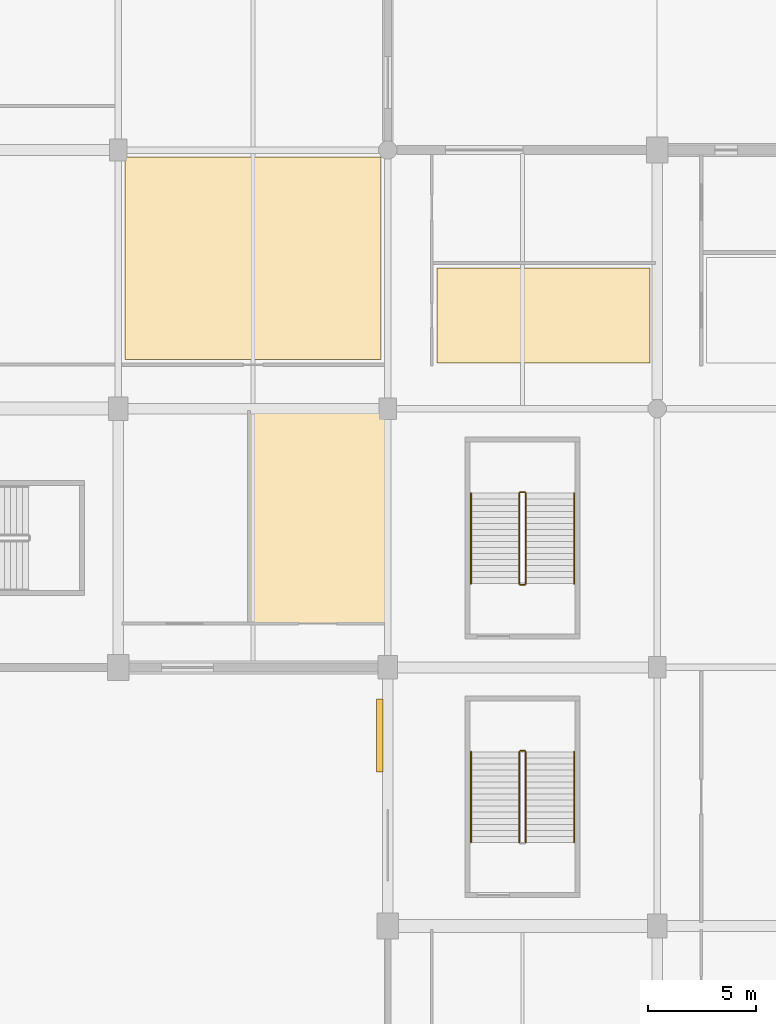
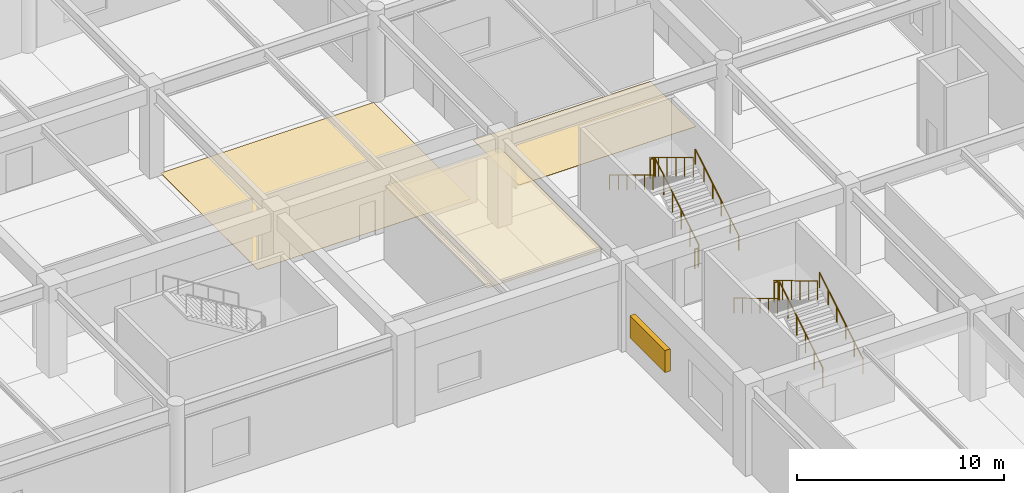
# One storey, part 67 of 69: 11 railings, 3 coverings, 1 shading device.
"""IFC4 building model written with IfcOpenShell, lengths in metres."""

from ifc_helpers import new_model, si_unit, direction, frame, origin, origin_2d, place, context, subcontext, project, spatial, polyline, rectangle, circle, outline, extrude, material, layer, layer_set, type_object, element, save


model = new_model("IFC4")

# Units and contexts
model_context = context("Model", 3, precision=1e-05, world=origin(), true_north=direction((0.0, 1.0)))
body_context = subcontext(model_context, "Body", "Model", "MODEL_VIEW")
ifc_project = project(units=[si_unit("LENGTHUNIT", "METRE"), si_unit("AREAUNIT", "SQUARE_METRE"), si_unit("VOLUMEUNIT", "CUBIC_METRE"), si_unit("PLANEANGLEUNIT", "RADIAN"), si_unit("MASSUNIT", "GRAM", prefix="KILO")], contexts=[model_context])

# Site, building, storey
site_placement = place(None, origin())
site = spatial("IfcSite", under=ifc_project, at=site_placement, CompositionType="ELEMENT")
building_placement = place(site_placement, origin())
building = spatial("IfcBuilding", under=site, at=building_placement, Name="Kazenohara Klinker Stadium", CompositionType="ELEMENT")
storey_placement = place(building_placement, origin())
storey = spatial("IfcBuildingStorey", under=building, at=storey_placement, Name="L00", CompositionType="ELEMENT", Elevation=0.0)

# Coverings
ifc_material_1 = material(Name="Slatted Hokkaido cedar acoustic baffle ceiling", Category="wood")
ifc_layer_1 = layer(ifc_material_1, 0.0400390625)
ifc_layer_set_1 = layer_set([ifc_layer_1], Name="Slatted Hokkaido cedar acoustic baffle ceiling")
covering_type_1 = type_object("IfcCoveringType", Name="COV-CEIL-02", PredefinedType="CEILING", material=ifc_layer_set_1)
covering_1_placement = place(storey_placement, frame((0.0, 0.0, 4.340087890625)))
element("IfcCovering", 1, at=covering_1_placement, inside=storey, type_object=covering_type_1, Name="Suspended acoustic ceiling CL02 Winter-Garden Retail Galleria Boutique L00-1311B", PredefinedType="CEILING", context=body_context, shape_type="SweptSolid", body=[
    extrude(outline(polyline([(168.52734375, 134.010009765625), (174.9599609375, 134.010009765625), (174.9599609375, 143.93994140625), (168.52734375, 143.93994140625), (168.52734375, 134.010009765625)])), origin(), (0.0, 0.0, 1.0), 0.039794921875),
])
ifc_material_2 = material(Name="Slip-resistant honed basalt terrazzo flooring", Category="masonry")
ifc_layer_2 = layer(ifc_material_2, 0.02001953125)
ifc_layer_set_2 = layer_set([ifc_layer_2], Name="Slip-resistant honed basalt terrazzo flooring")
covering_type_2 = type_object("IfcCoveringType", Name="COV-FLR-01", PredefinedType="FLOORING", material=ifc_layer_set_2)
covering_2_placement = place(storey_placement, origin())
element("IfcCovering", 2, at=covering_2_placement, inside=storey, type_object=covering_type_2, Name="Interior floor finish FL01 Supporter Merchandising Retail Shop L00-1412A", PredefinedType="FLOORING", context=body_context, shape_type="SweptSolid", body=[
    extrude(outline(polyline([(177.280029296875, 146.1201171875), (187.169921875, 146.1201171875), (187.169921875, 150.52685546875), (177.280029296875, 150.52685546875), (177.280029296875, 146.1201171875)])), origin(), (0.0, 0.0, 1.0), 0.02001953125),
])
ifc_material_3 = material(Name="Cushioned EPDM sports rubber flooring", Category="rubber")
ifc_layer_3 = layer(ifc_material_3, 0.014892578125)
ifc_layer_set_3 = layer_set([ifc_layer_3], Name="Cushioned EPDM sports rubber flooring")
covering_type_3 = type_object("IfcCoveringType", Name="COV-FLR-02", PredefinedType="FLOORING", material=ifc_layer_set_3)
covering_3_placement = place(storey_placement, origin())
element("IfcCovering", 3, at=covering_3_placement, inside=storey, type_object=covering_type_3, Name="Interior floor finish FL02 Civic Stadium Heritage Museum Exhibition Gallery L00-1312A", PredefinedType="FLOORING", context=body_context, shape_type="SweptSolid", body=[
    extrude(outline(polyline([(162.81005859375, 146.280029296875), (174.68994140625, 146.280029296875), (174.68994140625, 155.669921875), (162.81005859375, 155.669921875), (162.81005859375, 146.280029296875)])), origin(), (0.0, 0.0, 1.0), 0.014892578125),
])

# Railings
ifc_material_4 = material(Name="Brushed stainless steel 304 handrail", Category="steel")
ifc_layer_4 = layer(ifc_material_4, 0.050048828125)
ifc_layer_set_4 = layer_set([ifc_layer_4], Name="Brushed stainless steel 304 handrail")
railing_type_1 = type_object("IfcRailingType", Name="RL-HND-900", PredefinedType="HANDRAIL", material=ifc_layer_set_4)
railing_1_placement = place(storey_placement, frame((183.639892578125, 135.8798828125, 0.168701171875)))
element("IfcRailing", 4, at=railing_1_placement, inside=storey, type_object=railing_type_1, Name="L00 ST12 stair handrail 1", PredefinedType="HANDRAIL", context=body_context, shape_type="SweptSolid", body=[
    extrude(circle(Radius=0.02392578125, at=origin_2d()), frame((0.0, 0.0, 0.8759765625), z_axis=(0.0, 0.856489757249, 0.516164020179), x_axis=(-1.0, 0.0, 0.0)), (0.0, 0.0, 1.0), 4.904052734375),
    extrude(circle(Radius=0.02099609375, at=origin_2d()), origin(), (0.0, 0.0, 1.0), 0.851806640625),
    extrude(circle(Radius=0.02099609375, at=origin_2d()), frame((0.0, 0.840087890625, 0.50634765625)), (0.0, 0.0, 1.0), 0.851806640625),
    extrude(circle(Radius=0.02099609375, at=origin_2d()), frame((0.0, 1.68017578125, 1.012451171875)), (0.0, 0.0, 1.0), 0.851806640625),
    extrude(circle(Radius=0.02099609375, at=origin_2d()), frame((0.0, 2.52001953125, 1.518798828125)), (0.0, 0.0, 1.0), 0.851806640625),
    extrude(circle(Radius=0.02099609375, at=origin_2d()), frame((0.0, 3.360107421875, 2.02490234375)), (0.0, 0.0, 1.0), 0.851806640625),
    extrude(circle(Radius=0.02099609375, at=origin_2d()), frame((0.0, 4.2001953125, 2.53125)), (0.0, 0.0, 1.0), 0.851806640625),
])
railing_2_placement = place(storey_placement, frame((178.860107421875, 140.080078125, 2.86865234375)))
element("IfcRailing", 5, at=railing_2_placement, inside=storey, type_object=railing_type_1, Name="L00 ST12 stair handrail 2", PredefinedType="HANDRAIL", context=body_context, shape_type="SweptSolid", body=[
    extrude(circle(Radius=0.02392578125, at=origin_2d()), frame((0.0, 0.0, 0.8759765625), z_axis=(0.0, -0.856489757249, 0.516164020179), x_axis=(1.0, 0.0, 0.0)), (0.0, 0.0, 1.0), 4.904052734375),
    extrude(circle(Radius=0.02099609375, at=origin_2d()), origin(), (0.0, 0.0, 1.0), 0.851806640625),
    extrude(circle(Radius=0.02099609375, at=origin_2d()), frame((0.0, -0.840087890625, 0.50634765625)), (0.0, 0.0, 1.0), 0.851806640625),
    extrude(circle(Radius=0.02099609375, at=origin_2d()), frame((0.0, -1.68017578125, 1.012451171875)), (0.0, 0.0, 1.0), 0.851806640625),
    extrude(circle(Radius=0.02099609375, at=origin_2d()), frame((0.0, -2.52001953125, 1.518798828125)), (0.0, 0.0, 1.0), 0.851806640625),
    extrude(circle(Radius=0.02099609375, at=origin_2d()), frame((0.0, -3.360107421875, 2.02490234375)), (0.0, 0.0, 1.0), 0.851806640625),
    extrude(circle(Radius=0.02099609375, at=origin_2d()), frame((0.0, -4.2001953125, 2.53125)), (0.0, 0.0, 1.0), 0.851806640625),
])
railing_3_placement = place(storey_placement, frame((183.639892578125, 123.8798828125, 0.168701171875)))
element("IfcRailing", 6, at=railing_3_placement, inside=storey, type_object=railing_type_1, Name="L00 ST24 stair handrail 1", PredefinedType="HANDRAIL", context=body_context, shape_type="SweptSolid", body=[
    extrude(circle(Radius=0.02392578125, at=origin_2d()), frame((0.0, 0.0, 0.8759765625), z_axis=(0.0, 0.856489757249, 0.516164020179), x_axis=(-1.0, 0.0, 0.0)), (0.0, 0.0, 1.0), 4.904052734375),
    extrude(circle(Radius=0.02099609375, at=origin_2d()), origin(), (0.0, 0.0, 1.0), 0.851806640625),
    extrude(circle(Radius=0.02099609375, at=origin_2d()), frame((0.0, 0.840087890625, 0.50634765625)), (0.0, 0.0, 1.0), 0.851806640625),
    extrude(circle(Radius=0.02099609375, at=origin_2d()), frame((0.0, 1.68017578125, 1.012451171875)), (0.0, 0.0, 1.0), 0.851806640625),
    extrude(circle(Radius=0.02099609375, at=origin_2d()), frame((0.0, 2.52001953125, 1.518798828125)), (0.0, 0.0, 1.0), 0.851806640625),
    extrude(circle(Radius=0.02099609375, at=origin_2d()), frame((0.0, 3.360107421875, 2.02490234375)), (0.0, 0.0, 1.0), 0.851806640625),
    extrude(circle(Radius=0.02099609375, at=origin_2d()), frame((0.0, 4.2001953125, 2.53125)), (0.0, 0.0, 1.0), 0.851806640625),
])
railing_4_placement = place(storey_placement, frame((178.860107421875, 128.080078125, 2.86865234375)))
element("IfcRailing", 7, at=railing_4_placement, inside=storey, type_object=railing_type_1, Name="L00 ST24 stair handrail 2", PredefinedType="HANDRAIL", context=body_context, shape_type="SweptSolid", body=[
    extrude(circle(Radius=0.02392578125, at=origin_2d()), frame((0.0, 0.0, 0.8759765625), z_axis=(0.0, -0.856489757249, 0.516164020179), x_axis=(1.0, 0.0, 0.0)), (0.0, 0.0, 1.0), 4.904052734375),
    extrude(circle(Radius=0.02099609375, at=origin_2d()), origin(), (0.0, 0.0, 1.0), 0.851806640625),
    extrude(circle(Radius=0.02099609375, at=origin_2d()), frame((0.0, -0.840087890625, 0.50634765625)), (0.0, 0.0, 1.0), 0.851806640625),
    extrude(circle(Radius=0.02099609375, at=origin_2d()), frame((0.0, -1.68017578125, 1.012451171875)), (0.0, 0.0, 1.0), 0.851806640625),
    extrude(circle(Radius=0.02099609375, at=origin_2d()), frame((0.0, -2.52001953125, 1.518798828125)), (0.0, 0.0, 1.0), 0.851806640625),
    extrude(circle(Radius=0.02099609375, at=origin_2d()), frame((0.0, -3.360107421875, 2.02490234375)), (0.0, 0.0, 1.0), 0.851806640625),
    extrude(circle(Radius=0.02099609375, at=origin_2d()), frame((0.0, -4.2001953125, 2.53125)), (0.0, 0.0, 1.0), 0.851806640625),
])
ifc_material_5 = material(Name="Painted steel stairwell guardrail", Category="steel")
ifc_layer_5 = layer(ifc_material_5, 0.06005859375)
ifc_layer_set_5 = layer_set([ifc_layer_5], Name="Painted steel stairwell guardrail")
railing_type_2 = type_object("IfcRailingType", Name="RL-STG-1120", PredefinedType="GUARDRAIL", material=ifc_layer_set_5)
railing_5_placement = place(storey_placement, frame((181.39990234375, 135.8798828125, 0.168701171875)))
element("IfcRailing", 8, at=railing_5_placement, inside=storey, type_object=railing_type_2, Name="L00 ST12 stair guard 1", PredefinedType="GUARDRAIL", context=body_context, shape_type="SweptSolid", body=[
    extrude(circle(Radius=0.02392578125, at=origin_2d()), frame((0.0, 0.0, 1.1259765625), z_axis=(0.0, 0.856489757249, 0.516164020179), x_axis=(-1.0, 0.0, 0.0)), (0.0, 0.0, 1.0), 4.904052734375),
    extrude(circle(Radius=0.02099609375, at=origin_2d()), origin(), (0.0, 0.0, 1.0), 1.101806640625),
    extrude(circle(Radius=0.02099609375, at=origin_2d()), frame((0.0, 0.840087890625, 0.50634765625)), (0.0, 0.0, 1.0), 1.101806640625),
    extrude(circle(Radius=0.02099609375, at=origin_2d()), frame((0.0, 1.68017578125, 1.012451171875)), (0.0, 0.0, 1.0), 1.101806640625),
    extrude(circle(Radius=0.02099609375, at=origin_2d()), frame((0.0, 2.52001953125, 1.518798828125)), (0.0, 0.0, 1.0), 1.101806640625),
    extrude(circle(Radius=0.02099609375, at=origin_2d()), frame((0.0, 3.360107421875, 2.02490234375)), (0.0, 0.0, 1.0), 1.101806640625),
    extrude(circle(Radius=0.02099609375, at=origin_2d()), frame((0.0, 4.2001953125, 2.53125)), (0.0, 0.0, 1.0), 1.101806640625),
])
railing_6_placement = place(storey_placement, frame((181.35009765625, 140.1298828125, 2.699951171875)))
element("IfcRailing", 9, at=railing_6_placement, inside=storey, type_object=railing_type_2, Name="L00 ST12 stair guard 2", PredefinedType="GUARDRAIL", context=body_context, shape_type="SweptSolid", body=[
    extrude(circle(Radius=0.02392578125, at=origin_2d()), frame((0.0, 0.0, 1.1259765625), z_axis=(-1.0, 0.0, 0.0), x_axis=(0.0, -1.0, 0.0)), (0.0, 0.0, 1.0), 0.2001953125),
    extrude(circle(Radius=0.02099609375, at=origin_2d()), origin(), (0.0, 0.0, 1.0), 1.101806640625),
    extrude(circle(Radius=0.02099609375, at=origin_2d()), frame((-0.2001953125, 0.0, 0.0)), (0.0, 0.0, 1.0), 1.101806640625),
])
railing_7_placement = place(storey_placement, frame((181.10009765625, 140.080078125, 2.86865234375)))
element("IfcRailing", 10, at=railing_7_placement, inside=storey, type_object=railing_type_2, Name="L00 ST12 stair guard 3", PredefinedType="GUARDRAIL", context=body_context, shape_type="SweptSolid", body=[
    extrude(circle(Radius=0.02392578125, at=origin_2d()), frame((0.0, 0.0, 1.1259765625), z_axis=(0.0, -0.856489757249, 0.516164020179), x_axis=(1.0, 0.0, 0.0)), (0.0, 0.0, 1.0), 4.904052734375),
    extrude(circle(Radius=0.02099609375, at=origin_2d()), origin(), (0.0, 0.0, 1.0), 1.101806640625),
    extrude(circle(Radius=0.02099609375, at=origin_2d()), frame((0.0, -0.840087890625, 0.50634765625)), (0.0, 0.0, 1.0), 1.101806640625),
    extrude(circle(Radius=0.02099609375, at=origin_2d()), frame((0.0, -1.68017578125, 1.012451171875)), (0.0, 0.0, 1.0), 1.101806640625),
    extrude(circle(Radius=0.02099609375, at=origin_2d()), frame((0.0, -2.52001953125, 1.518798828125)), (0.0, 0.0, 1.0), 1.101806640625),
    extrude(circle(Radius=0.02099609375, at=origin_2d()), frame((0.0, -3.360107421875, 2.02490234375)), (0.0, 0.0, 1.0), 1.101806640625),
    extrude(circle(Radius=0.02099609375, at=origin_2d()), frame((0.0, -4.2001953125, 2.53125)), (0.0, 0.0, 1.0), 1.101806640625),
])
railing_8_placement = place(storey_placement, frame((181.35009765625, 135.830078125, 0.0)))
element("IfcRailing", 11, at=railing_8_placement, inside=storey, type_object=railing_type_2, Name="L00 ST12 stair guard 4", PredefinedType="GUARDRAIL", context=body_context, shape_type="SweptSolid", body=[
    extrude(circle(Radius=0.02392578125, at=origin_2d()), frame((0.0, 0.0, 1.1259765625), z_axis=(-1.0, 0.0, 0.0), x_axis=(0.0, -1.0, 0.0)), (0.0, 0.0, 1.0), 0.2001953125),
    extrude(circle(Radius=0.02099609375, at=origin_2d()), origin(), (0.0, 0.0, 1.0), 1.101806640625),
    extrude(circle(Radius=0.02099609375, at=origin_2d()), frame((-0.2001953125, 0.0, 0.0)), (0.0, 0.0, 1.0), 1.101806640625),
])
railing_9_placement = place(storey_placement, frame((181.39990234375, 123.8798828125, 0.168701171875)))
element("IfcRailing", 12, at=railing_9_placement, inside=storey, type_object=railing_type_2, Name="L00 ST24 stair guard 1", PredefinedType="GUARDRAIL", context=body_context, shape_type="SweptSolid", body=[
    extrude(circle(Radius=0.02392578125, at=origin_2d()), frame((0.0, 0.0, 1.1259765625), z_axis=(0.0, 0.856489757249, 0.516164020179), x_axis=(-1.0, 0.0, 0.0)), (0.0, 0.0, 1.0), 4.904052734375),
    extrude(circle(Radius=0.02099609375, at=origin_2d()), origin(), (0.0, 0.0, 1.0), 1.101806640625),
    extrude(circle(Radius=0.02099609375, at=origin_2d()), frame((0.0, 0.840087890625, 0.50634765625)), (0.0, 0.0, 1.0), 1.101806640625),
    extrude(circle(Radius=0.02099609375, at=origin_2d()), frame((0.0, 1.68017578125, 1.012451171875)), (0.0, 0.0, 1.0), 1.101806640625),
    extrude(circle(Radius=0.02099609375, at=origin_2d()), frame((0.0, 2.52001953125, 1.518798828125)), (0.0, 0.0, 1.0), 1.101806640625),
    extrude(circle(Radius=0.02099609375, at=origin_2d()), frame((0.0, 3.360107421875, 2.02490234375)), (0.0, 0.0, 1.0), 1.101806640625),
    extrude(circle(Radius=0.02099609375, at=origin_2d()), frame((0.0, 4.2001953125, 2.53125)), (0.0, 0.0, 1.0), 1.101806640625),
])
railing_10_placement = place(storey_placement, frame((181.35009765625, 128.1298828125, 2.699951171875)))
element("IfcRailing", 13, at=railing_10_placement, inside=storey, type_object=railing_type_2, Name="L00 ST24 stair guard 2", PredefinedType="GUARDRAIL", context=body_context, shape_type="SweptSolid", body=[
    extrude(circle(Radius=0.02392578125, at=origin_2d()), frame((0.0, 0.0, 1.1259765625), z_axis=(-1.0, 0.0, 0.0), x_axis=(0.0, -1.0, 0.0)), (0.0, 0.0, 1.0), 0.2001953125),
    extrude(circle(Radius=0.02099609375, at=origin_2d()), origin(), (0.0, 0.0, 1.0), 1.101806640625),
    extrude(circle(Radius=0.02099609375, at=origin_2d()), frame((-0.2001953125, 0.0, 0.0)), (0.0, 0.0, 1.0), 1.101806640625),
])
railing_11_placement = place(storey_placement, frame((181.10009765625, 128.080078125, 2.86865234375)))
element("IfcRailing", 14, at=railing_11_placement, inside=storey, type_object=railing_type_2, Name="L00 ST24 stair guard 3", PredefinedType="GUARDRAIL", context=body_context, shape_type="SweptSolid", body=[
    extrude(circle(Radius=0.02392578125, at=origin_2d()), frame((0.0, 0.0, 1.1259765625), z_axis=(0.0, -0.856489757249, 0.516164020179), x_axis=(1.0, 0.0, 0.0)), (0.0, 0.0, 1.0), 4.904052734375),
    extrude(circle(Radius=0.02099609375, at=origin_2d()), origin(), (0.0, 0.0, 1.0), 1.101806640625),
    extrude(circle(Radius=0.02099609375, at=origin_2d()), frame((0.0, -0.840087890625, 0.50634765625)), (0.0, 0.0, 1.0), 1.101806640625),
    extrude(circle(Radius=0.02099609375, at=origin_2d()), frame((0.0, -1.68017578125, 1.012451171875)), (0.0, 0.0, 1.0), 1.101806640625),
    extrude(circle(Radius=0.02099609375, at=origin_2d()), frame((0.0, -2.52001953125, 1.518798828125)), (0.0, 0.0, 1.0), 1.101806640625),
    extrude(circle(Radius=0.02099609375, at=origin_2d()), frame((0.0, -3.360107421875, 2.02490234375)), (0.0, 0.0, 1.0), 1.101806640625),
    extrude(circle(Radius=0.02099609375, at=origin_2d()), frame((0.0, -4.2001953125, 2.53125)), (0.0, 0.0, 1.0), 1.101806640625),
])

# Shading device
ifc_material_6 = material(Name="Perforated clinker-brick and bronze louvre grille", Category="masonry")
shading_device_type = type_object("IfcShadingDeviceType", Name="SHD-LOUV-01", PredefinedType="JALOUSIE", material=ifc_material_6)
shading_device_placement = place(storey_placement, frame((174.6298828125, 128.843994140625, 1.4501953125), z_axis=(0.0, 0.0, 1.0), x_axis=(0.0, 1.0, 0.0)))
element("IfcShadingDevice", 15, at=shading_device_placement, inside=storey, type_object=shading_device_type, Name="Perforated clinker-brick louvre screen LV01-12", PredefinedType="JALOUSIE", context=body_context, shape_type="SweptSolid", body=[
    extrude(rectangle(XDim=3.39990234375, YDim=0.300048828125, at=origin_2d()), origin(), (0.0, 0.0, 1.0), 1.300048828125),
])

save(model, "model.ifc")
